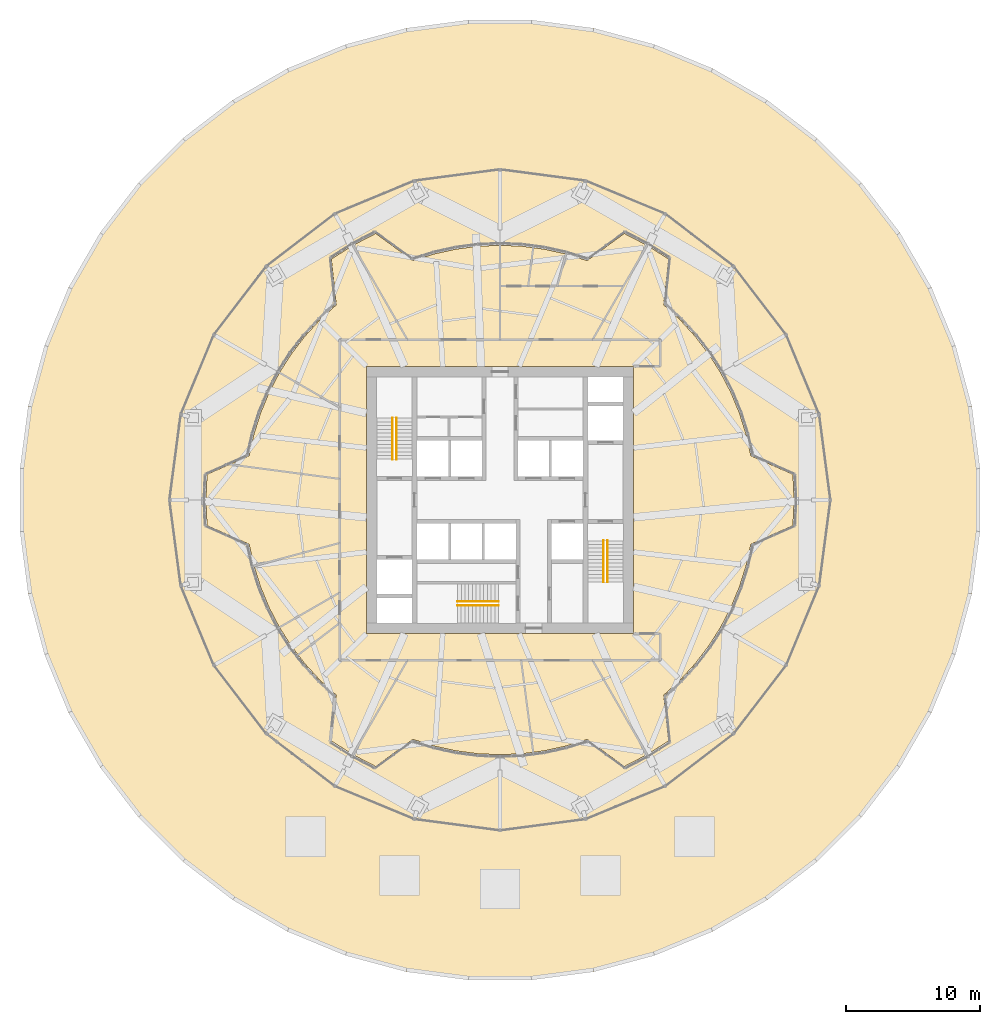
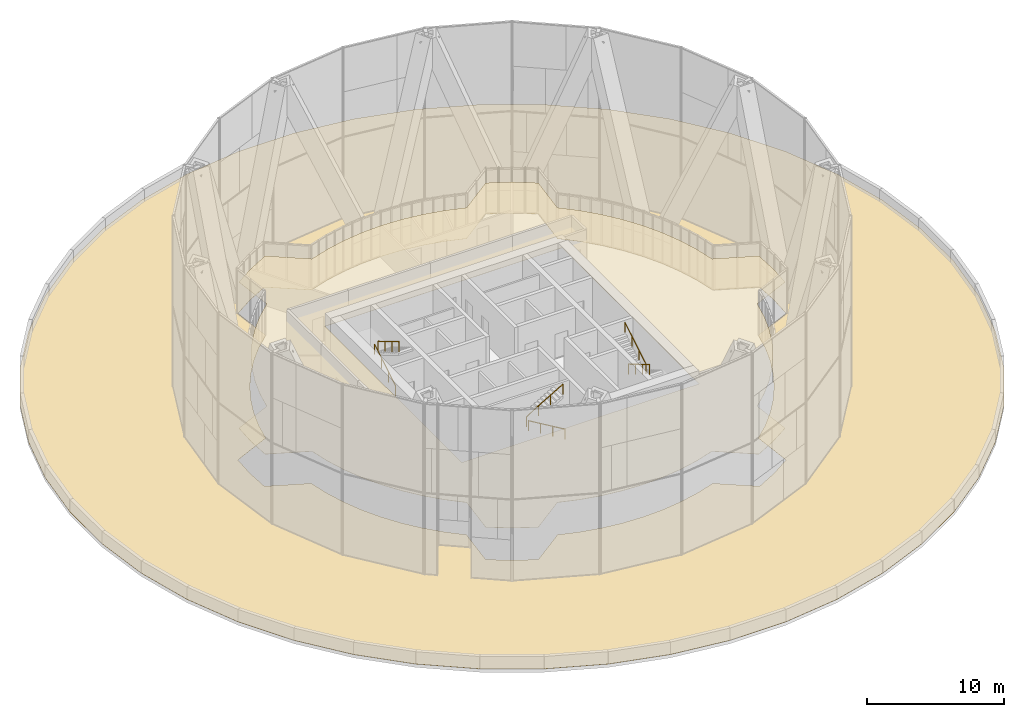
# One storey, part 27 of 27: 6 railings, 2 coverings.
"""IFC4 building model written with IfcOpenShell, lengths in metres."""

from ifc_helpers import new_model, si_unit, direction, frame, origin, origin_2d, place, context, subcontext, project, spatial, polyline, circle, outline, extrude, material, layer, layer_set, type_object, element, save


model = new_model("IFC4")

# Units and contexts
model_context = context("Model", 3, precision=1e-05, world=origin(), true_north=direction((0.0, 1.0)))
body_context = subcontext(model_context, "Body", "Model", "MODEL_VIEW")
ifc_project = project(units=[si_unit("LENGTHUNIT", "METRE"), si_unit("AREAUNIT", "SQUARE_METRE"), si_unit("VOLUMEUNIT", "CUBIC_METRE"), si_unit("PLANEANGLEUNIT", "RADIAN"), si_unit("MASSUNIT", "GRAM", prefix="KILO")], contexts=[model_context])

# Site, building, storey
site_placement = place(None, origin())
site = spatial("IfcSite", under=ifc_project, at=site_placement, CompositionType="ELEMENT")
building_placement = place(site_placement, origin())
building = spatial("IfcBuilding", under=site, at=building_placement, Name="Golbaran Civic Tower", CompositionType="ELEMENT")
storey_placement = place(building_placement, frame((0.0, 0.0, 21.0)))
storey = spatial("IfcBuildingStorey", under=building, at=storey_placement, Name="L04", CompositionType="ELEMENT", Elevation=21.0)

# Railings
ifc_material_1 = material(Name="Stainless steel", Category="steel")
railing_type = type_object("IfcRailingType", Name="STAIR HANDRAIL 900", PredefinedType="HANDRAIL", material=ifc_material_1)
railing_1_placement = place(storey_placement, frame((-8.050048828125, 3.050048828125, 0.166748046875)))
element("IfcRailing", 1, at=railing_1_placement, inside=storey, type_object=railing_type, Name="Stair S1 handrail flight 1 L04", PredefinedType="HANDRAIL", context=body_context, shape_type="SweptSolid", body=[
    extrude(circle(Radius=0.02392578125, at=origin_2d()), frame((0.0, 0.0, 0.8759765625), z_axis=(0.0, 0.859290745958, 0.51148745235), x_axis=(-1.0, 0.0, 0.0)), (0.0, 0.0, 1.0), 3.584228515625),
    extrude(circle(Radius=0.02099609375, at=origin_2d()), origin(), (0.0, 0.0, 1.0), 0.851806640625),
    extrude(circle(Radius=0.02099609375, at=origin_2d()), frame((0.0, 1.026611328125, 0.611083984375)), (0.0, 0.0, 1.0), 0.851806640625),
    extrude(circle(Radius=0.02099609375, at=origin_2d()), frame((0.0, 2.05322265625, 1.22216796875)), (0.0, 0.0, 1.0), 0.851806640625),
    extrude(circle(Radius=0.02099609375, at=origin_2d()), frame((0.0, 3.079833984375, 1.833251953125)), (0.0, 0.0, 1.0), 0.851806640625),
])
for number, where, name in (
    (2, (-7.75, 6.1298828125, 2.166748046875), "Stair S1 handrail flight 2 L04"),
    (3, (8.050048828125, -3.050048828125, 0.166748046875), "Stair S2 handrail flight 1 L04"),
):
    element("IfcRailing", number, at=place(storey_placement, frame(where)), inside=storey, type_object=railing_type, Name=name, PredefinedType="HANDRAIL", context=body_context, shape_type="SweptSolid", body=[
        extrude(circle(Radius=0.02392578125, at=origin_2d()), frame((0.0, 0.0, 0.8759765625), z_axis=(0.0, -0.859290745958, 0.51148745235), x_axis=(1.0, 0.0, 0.0)), (0.0, 0.0, 1.0), 3.584228515625),
        extrude(circle(Radius=0.02099609375, at=origin_2d()), origin(), (0.0, 0.0, 1.0), 0.851806640625),
        extrude(circle(Radius=0.02099609375, at=origin_2d()), frame((0.0, -1.026611328125, 0.611083984375)), (0.0, 0.0, 1.0), 0.851806640625),
        extrude(circle(Radius=0.02099609375, at=origin_2d()), frame((0.0, -2.05322265625, 1.22216796875)), (0.0, 0.0, 1.0), 0.851806640625),
        extrude(circle(Radius=0.02099609375, at=origin_2d()), frame((0.0, -3.079833984375, 1.833251953125)), (0.0, 0.0, 1.0), 0.851806640625),
    ])
railing_2_placement = place(storey_placement, frame((7.75, -6.1298828125, 2.166748046875)))
element("IfcRailing", 4, at=railing_2_placement, inside=storey, type_object=railing_type, Name="Stair S2 handrail flight 2 L04", PredefinedType="HANDRAIL", context=body_context, shape_type="SweptSolid", body=[
    extrude(circle(Radius=0.02392578125, at=origin_2d()), frame((0.0, 0.0, 0.8759765625), z_axis=(0.0, 0.859290745958, 0.51148745235), x_axis=(-1.0, 0.0, 0.0)), (0.0, 0.0, 1.0), 3.584228515625),
    extrude(circle(Radius=0.02099609375, at=origin_2d()), origin(), (0.0, 0.0, 1.0), 0.851806640625),
    extrude(circle(Radius=0.02099609375, at=origin_2d()), frame((0.0, 1.026611328125, 0.611083984375)), (0.0, 0.0, 1.0), 0.851806640625),
    extrude(circle(Radius=0.02099609375, at=origin_2d()), frame((0.0, 2.05322265625, 1.22216796875)), (0.0, 0.0, 1.0), 0.851806640625),
    extrude(circle(Radius=0.02099609375, at=origin_2d()), frame((0.0, 3.079833984375, 1.833251953125)), (0.0, 0.0, 1.0), 0.851806640625),
])
railing_3_placement = place(storey_placement, frame((-0.10009765625, -7.89990234375, 0.166748046875)))
element("IfcRailing", 5, at=railing_3_placement, inside=storey, type_object=railing_type, Name="Stair S3 handrail flight 1 L04", PredefinedType="HANDRAIL", context=body_context, shape_type="SweptSolid", body=[
    extrude(circle(Radius=0.02392578125, at=origin_2d()), frame((0.0, 0.0, 0.8759765625), z_axis=(-0.859290745958, 0.0, 0.51148745235), x_axis=(0.0, -1.0, 0.0)), (0.0, 0.0, 1.0), 3.584228515625),
    extrude(circle(Radius=0.02099609375, at=origin_2d()), origin(), (0.0, 0.0, 1.0), 0.851806640625),
    extrude(circle(Radius=0.02099609375, at=origin_2d()), frame((-1.026611328125, 0.0, 0.611083984375)), (0.0, 0.0, 1.0), 0.851806640625),
    extrude(circle(Radius=0.02099609375, at=origin_2d()), frame((-2.05322265625, 0.0, 1.22216796875)), (0.0, 0.0, 1.0), 0.851806640625),
    extrude(circle(Radius=0.02099609375, at=origin_2d()), frame((-3.079833984375, 0.0, 1.833251953125)), (0.0, 0.0, 1.0), 0.851806640625),
])
railing_4_placement = place(storey_placement, frame((-3.179931640625, -7.60009765625, 2.166748046875)))
element("IfcRailing", 6, at=railing_4_placement, inside=storey, type_object=railing_type, Name="Stair S3 handrail flight 2 L04", PredefinedType="HANDRAIL", context=body_context, shape_type="SweptSolid", body=[
    extrude(circle(Radius=0.02392578125, at=origin_2d()), frame((0.0, 0.0, 0.8759765625), z_axis=(0.859290745958, 0.0, 0.51148745235), x_axis=(0.0, 1.0, 0.0)), (0.0, 0.0, 1.0), 3.584228515625),
    extrude(circle(Radius=0.02099609375, at=origin_2d()), origin(), (0.0, 0.0, 1.0), 0.851806640625),
    extrude(circle(Radius=0.02099609375, at=origin_2d()), frame((1.026611328125, 0.0, 0.611083984375)), (0.0, 0.0, 1.0), 0.851806640625),
    extrude(circle(Radius=0.02099609375, at=origin_2d()), frame((2.05322265625, 0.0, 1.22216796875)), (0.0, 0.0, 1.0), 0.851806640625),
    extrude(circle(Radius=0.02099609375, at=origin_2d()), frame((3.079833984375, 0.0, 1.833251953125)), (0.0, 0.0, 1.0), 0.851806640625),
])

# Coverings
ifc_material_2 = material(Name="Mineral fibre tile on steel grid", Category="steel")
ifc_layer_1 = layer(ifc_material_2, 0.02001953125, Name="Mineral fibre tile on steel grid")
ifc_layer_set_1 = layer_set([ifc_layer_1], Name="Mineral fibre tile on steel grid")
covering_type_1 = type_object("IfcCoveringType", Name="SUSPENDED CEILING 600 TILE 20", PredefinedType="CEILING", material=ifc_layer_set_1)
covering_1_placement = place(storey_placement, frame((0.0, 0.0, 2.800048828125)))
element("IfcCovering", 7, at=covering_1_placement, inside=storey, type_object=covering_type_1, Name="Suspended ceiling L04", PredefinedType="CEILING", context=body_context, shape_type="SweptSolid", body=[
    extrude(outline(polyline([(-22.0087890625, 0.0), (-21.925048828125, 1.918212890625), (-18.774169921875, 3.310302734375), (-18.414306640625, 4.93408203125), (-17.9140625, 6.520263671875), (-17.27783203125, 8.056640625), (-16.509765625, 9.531982421875), (-15.6162109375, 10.9345703125), (-14.603759765625, 12.25390625), (-13.480224609375, 13.480224609375), (-12.25390625, 14.603759765625), (-12.623779296875, 18.028564453125), (-11.00439453125, 19.060302734375), (-9.30126953125, 19.94677734375), (-6.520263671875, 17.9140625), (-4.93408203125, 18.414306640625), (-3.310302734375, 18.774169921875), (-1.66162109375, 18.9912109375), (0.0, 19.06396484375), (1.66162109375, 18.9912109375), (3.310302734375, 18.774169921875), (4.93408203125, 18.414306640625), (6.520263671875, 17.9140625), (9.30126953125, 19.94677734375), (11.00439453125, 19.060302734375), (12.623779296875, 18.028564453125), (12.25390625, 14.603759765625), (13.480224609375, 13.480224609375), (14.603759765625, 12.25390625), (15.6162109375, 10.9345703125), (16.509765625, 9.531982421875), (17.27783203125, 8.056640625), (17.9140625, 6.520263671875), (18.414306640625, 4.93408203125), (18.774169921875, 3.310302734375), (21.925048828125, 1.918212890625), (22.0087890625, 0.0), (21.925048828125, -1.918212890625), (18.774169921875, -3.310302734375), (18.414306640625, -4.93408203125), (17.9140625, -6.520263671875), (17.27783203125, -8.056640625), (16.509765625, -9.531982421875), (15.6162109375, -10.9345703125), (14.603759765625, -12.25390625), (13.480224609375, -13.480224609375), (12.25390625, -14.603759765625), (12.623779296875, -18.028564453125), (11.00439453125, -19.060302734375), (9.30126953125, -19.94677734375), (6.520263671875, -17.9140625), (4.93408203125, -18.414306640625), (3.310302734375, -18.774169921875), (1.66162109375, -18.9912109375), (0.0, -19.06396484375), (-1.66162109375, -18.9912109375), (-3.310302734375, -18.774169921875), (-4.93408203125, -18.414306640625), (-6.520263671875, -17.9140625), (-9.30126953125, -19.94677734375), (-11.00439453125, -19.060302734375), (-12.623779296875, -18.028564453125), (-12.25390625, -14.603759765625), (-13.480224609375, -13.480224609375), (-14.603759765625, -12.25390625), (-15.6162109375, -10.9345703125), (-16.509765625, -9.531982421875), (-17.27783203125, -8.056640625), (-17.9140625, -6.520263671875), (-18.414306640625, -4.93408203125), (-18.774169921875, -3.310302734375), (-21.925048828125, -1.918212890625), (-22.0087890625, 0.0)]), holes=[polyline([(10.0, -10.0), (10.0, 10.0), (-10.0, 10.0), (-10.0, -10.0), (10.0, -10.0)])]), origin(), (0.0, 0.0, 1.0), 0.02001953125),
])
ifc_material_3 = material(Name="Reinforced bitumen membrane", Category="concrete")
ifc_layer_2 = layer(ifc_material_3, 0.010009765625, Name="Reinforced bitumen membrane")
ifc_layer_set_2 = layer_set([ifc_layer_2], Name="Reinforced bitumen membrane")
covering_type_2 = type_object("IfcCoveringType", Name="WATERPROOFING MEMBRANE 10", PredefinedType="MEMBRANE", material=ifc_layer_set_2)
covering_2_placement = place(storey_placement, frame((0.0, 0.0, -0.010009765625)))
element("IfcCovering", 8, at=covering_2_placement, inside=storey, type_object=covering_type_2, Name="Waterproofing membrane L04", PredefinedType="MEMBRANE", context=body_context, shape_type="SweptSolid", body=[
    extrude(outline(polyline([(35.308349609375, -7.023193359375), (34.089599609375, -11.57177734375), (32.287353515625, -15.92236328125), (29.932861328125, -20.00048828125), (27.066162109375, -23.736328125), (23.736328125, -27.066162109375), (20.00048828125, -29.932861328125), (15.92236328125, -32.287353515625), (11.57177734375, -34.089599609375), (7.023193359375, -35.308349609375), (2.3544921875, -35.9228515625), (-2.3544921875, -35.9228515625), (-7.023193359375, -35.308349609375), (-11.57177734375, -34.089599609375), (-15.92236328125, -32.287353515625), (-20.00048828125, -29.932861328125), (-23.736328125, -27.066162109375), (-27.066162109375, -23.736328125), (-29.932861328125, -20.00048828125), (-32.287353515625, -15.92236328125), (-34.089599609375, -11.57177734375), (-35.308349609375, -7.023193359375), (-35.9228515625, -2.3544921875), (-35.9228515625, 2.3544921875), (-35.308349609375, 7.023193359375), (-34.089599609375, 11.57177734375), (-32.287353515625, 15.92236328125), (-29.932861328125, 20.00048828125), (-27.066162109375, 23.736328125), (-23.736328125, 27.066162109375), (-20.00048828125, 29.932861328125), (-15.92236328125, 32.287353515625), (-11.57177734375, 34.089599609375), (-7.023193359375, 35.308349609375), (-2.3544921875, 35.9228515625), (2.3544921875, 35.9228515625), (7.023193359375, 35.308349609375), (11.57177734375, 34.089599609375), (15.92236328125, 32.287353515625), (20.00048828125, 29.932861328125), (23.736328125, 27.066162109375), (27.066162109375, 23.736328125), (29.932861328125, 20.00048828125), (32.287353515625, 15.92236328125), (34.089599609375, 11.57177734375), (35.308349609375, 7.023193359375), (35.9228515625, 2.3544921875), (35.9228515625, -2.3544921875), (35.308349609375, -7.023193359375)]), holes=[polyline([(18.843017578125, 3.322509765625), (18.481689453125, 4.9521484375), (17.979736328125, 6.544189453125), (17.341064453125, 8.086181640625), (16.5703125, 9.56689453125), (15.67333984375, 10.974609375), (14.6572265625, 12.298828125), (13.529541015625, 13.529541015625), (12.298828125, 14.6572265625), (12.663818359375, 18.085693359375), (11.039306640625, 19.12060546875), (9.330810546875, 20.010009765625), (6.544189453125, 17.979736328125), (4.9521484375, 18.481689453125), (3.322509765625, 18.843017578125), (1.667724609375, 19.060791015625), (0.0, 19.1337890625), (-1.667724609375, 19.060791015625), (-3.322509765625, 18.843017578125), (-4.9521484375, 18.481689453125), (-6.544189453125, 17.979736328125), (-9.330810546875, 20.010009765625), (-11.039306640625, 19.12060546875), (-12.663818359375, 18.085693359375), (-12.298828125, 14.6572265625), (-13.529541015625, 13.529541015625), (-14.6572265625, 12.298828125), (-15.67333984375, 10.974609375), (-16.5703125, 9.56689453125), (-17.341064453125, 8.086181640625), (-17.979736328125, 6.544189453125), (-18.481689453125, 4.9521484375), (-18.843017578125, 3.322509765625), (-21.99462890625, 1.92431640625), (-22.07861328125, 0.0), (-21.99462890625, -1.92431640625), (-18.843017578125, -3.322509765625), (-18.481689453125, -4.9521484375), (-17.979736328125, -6.544189453125), (-17.341064453125, -8.086181640625), (-16.5703125, -9.56689453125), (-15.67333984375, -10.974609375), (-14.6572265625, -12.298828125), (-13.529541015625, -13.529541015625), (-12.298828125, -14.6572265625), (-12.663818359375, -18.085693359375), (-11.039306640625, -19.12060546875), (-9.330810546875, -20.010009765625), (-6.544189453125, -17.979736328125), (-4.9521484375, -18.481689453125), (-3.322509765625, -18.843017578125), (-1.667724609375, -19.060791015625), (0.0, -19.1337890625), (1.667724609375, -19.060791015625), (3.322509765625, -18.843017578125), (4.9521484375, -18.481689453125), (6.544189453125, -17.979736328125), (9.330810546875, -20.010009765625), (11.039306640625, -19.12060546875), (12.663818359375, -18.085693359375), (12.298828125, -14.6572265625), (13.529541015625, -13.529541015625), (14.6572265625, -12.298828125), (15.67333984375, -10.974609375), (16.5703125, -9.56689453125), (17.341064453125, -8.086181640625), (17.979736328125, -6.544189453125), (18.481689453125, -4.9521484375), (18.843017578125, -3.322509765625), (21.99462890625, -1.92431640625), (22.07861328125, 0.0), (21.99462890625, 1.92431640625), (18.843017578125, 3.322509765625)])]), origin(), (0.0, 0.0, 1.0), 0.010009765625),
])

save(model, "model.ifc")
